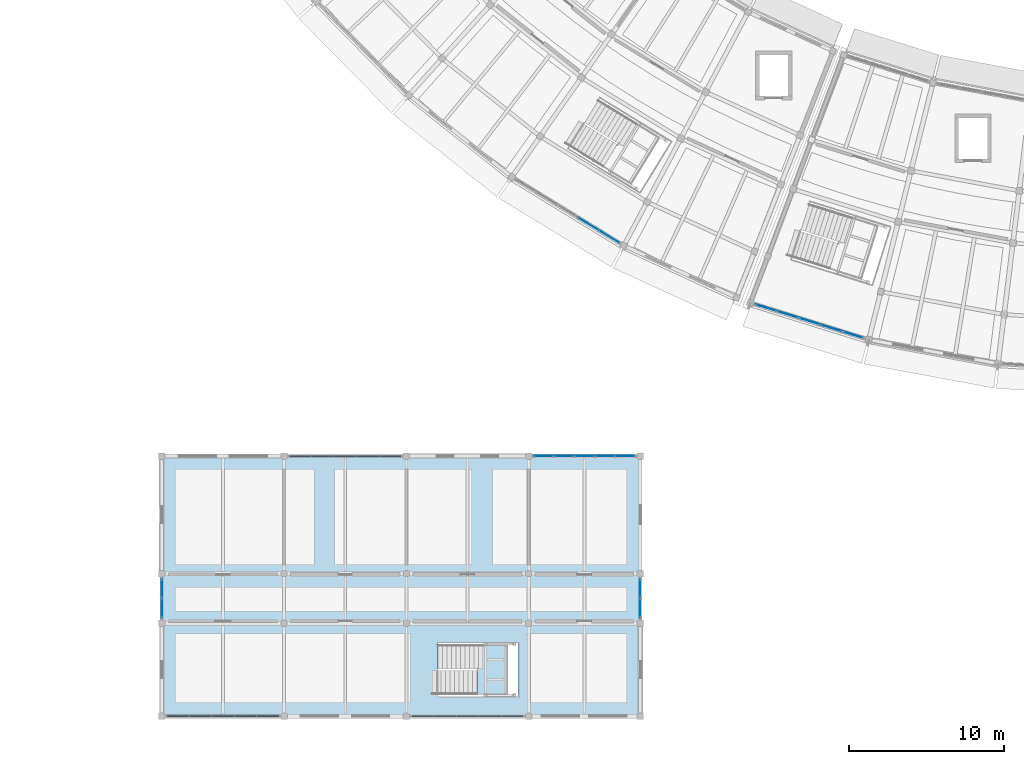
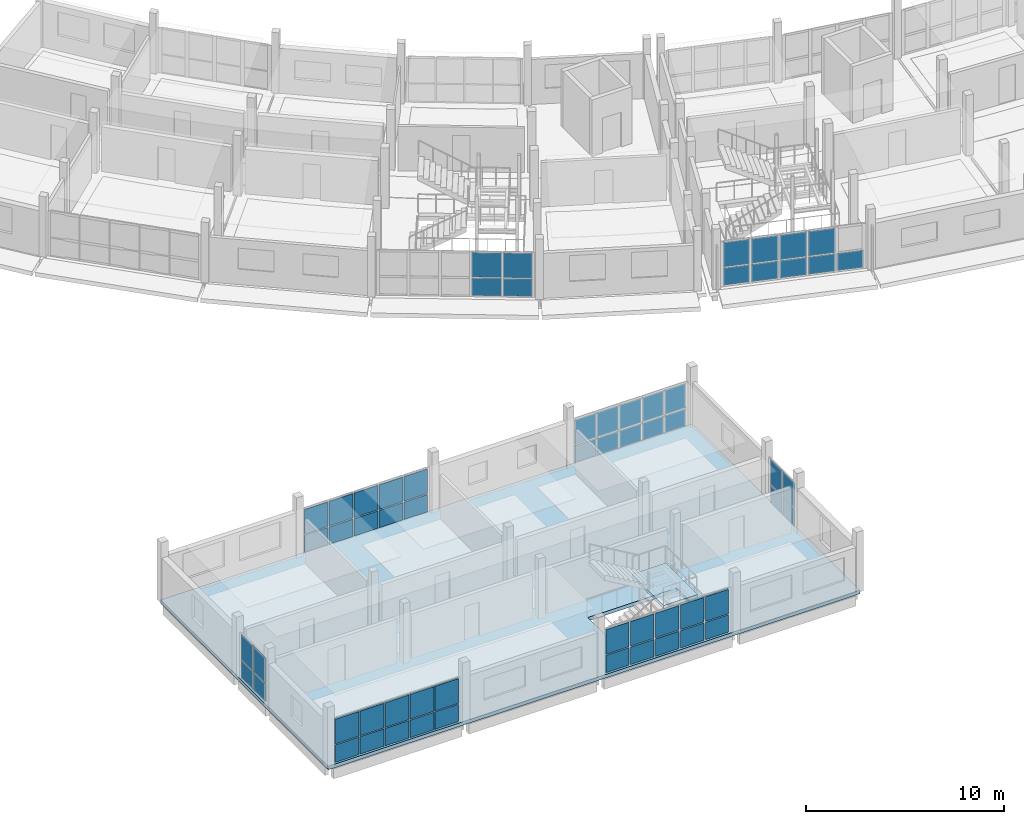
# One storey, part 45 of 77: 61 plates, 2 slabs, 9 elements without a shape of their own.
"""IFC4 building model written with IfcOpenShell, lengths in metres."""

from ifc_helpers import new_model, si_unit, direction, frame, origin, origin_2d, place, context, subcontext, project, spatial, polyline, rectangle, outline, extrude, material, layer, layer_set, type_object, element, aggregate, save


model = new_model("IFC4")

# Units and contexts
model_context = context("Model", 3, precision=1e-05, world=origin(), true_north=direction((0.0, 1.0)))
body_context = subcontext(model_context, "Body", "Model", "MODEL_VIEW")
ifc_project = project(units=[si_unit("LENGTHUNIT", "METRE"), si_unit("AREAUNIT", "SQUARE_METRE"), si_unit("VOLUMEUNIT", "CUBIC_METRE"), si_unit("PLANEANGLEUNIT", "RADIAN"), si_unit("MASSUNIT", "GRAM", prefix="KILO")], contexts=[model_context])

# Site, building, storey
site_placement = place(None, origin())
site = spatial("IfcSite", under=ifc_project, at=site_placement, CompositionType="ELEMENT")
building_placement = place(site_placement, origin())
building = spatial("IfcBuilding", under=site, at=building_placement, Name="Caldaven Crescent School", CompositionType="ELEMENT")
storey_placement = place(building_placement, frame((0.0, 0.0, 4.419921875)))
storey = spatial("IfcBuildingStorey", under=building, at=storey_placement, Name="L01", CompositionType="ELEMENT", Elevation=4.419921875)

# Curtain wall, plates
ifc_material_1 = material(Name="Anodised aluminium AA 6063-T6 and low-E double glazing", Category="aluminium")
ifc_layer_1 = layer(ifc_material_1, 0.169921875)
ifc_layer_set_1 = layer_set([ifc_layer_1], Name="Anodised aluminium AA 6063-T6 and low-E double glazing")
curtain_wall_type_1 = type_object("IfcCurtainWallType", Name="CW-SYS1", PredefinedType="NOTDEFINED", material=ifc_layer_set_1)
curtain_wall_1_placement = place(storey_placement, origin())
curtain_wall_1 = element("IfcCurtainWall", 1, at=curtain_wall_1_placement, inside=storey, type_object=curtain_wall_type_1, Name="CW-L01-096", PredefinedType="NOTDEFINED")
ifc_material_2 = material(Name="Tempered low-E double glazing IGU", Category="glass")
ifc_layer_2 = layer(ifc_material_2, 0.02587890625)
ifc_layer_set_2 = layer_set([ifc_layer_2], Name="Tempered low-E double glazing IGU")
plate_type_1 = type_object("IfcPlateType", Name="PLT-CWP01", PredefinedType="CURTAIN_PANEL", material=ifc_layer_set_2)
plate_1_placement = place(storey_placement, frame((50.17626953125, 21.0, 0.070068359375), z_axis=(0.0, 0.0, 1.0), x_axis=(1.0, 0.0, 0.0)))
plate_1 = element("IfcPlate", 2, at=plate_1_placement, type_object=plate_type_1, Name="CW1 panel 1.1", PredefinedType="CURTAIN_PANEL", context=body_context, shape_type="SweptSolid", body=[
    extrude(rectangle(XDim=1.222412109375, YDim=0.02587890625, at=origin_2d()), origin(), (0.0, 0.0, 1.0), 1.06298828125),
])
plate_2_placement = place(storey_placement, frame((50.17626953125, 21.0, 1.203125), z_axis=(0.0, 0.0, 1.0), x_axis=(1.0, 0.0, 0.0)))
plate_2 = element("IfcPlate", 3, at=plate_2_placement, type_object=plate_type_1, Name="CW1 panel 1.2", PredefinedType="CURTAIN_PANEL", context=body_context, shape_type="SweptSolid", body=[
    extrude(rectangle(XDim=1.222412109375, YDim=0.02587890625, at=origin_2d()), origin(), (0.0, 0.0, 1.0), 1.507080078125),
])
plate_3_placement = place(storey_placement, frame((51.47998046875, 21.0, 0.070068359375), z_axis=(0.0, 0.0, 1.0), x_axis=(1.0, 0.0, 0.0)))
plate_3 = element("IfcPlate", 4, at=plate_3_placement, type_object=plate_type_1, Name="CW1 panel 2.1", PredefinedType="CURTAIN_PANEL", context=body_context, shape_type="SweptSolid", body=[
    extrude(rectangle(XDim=1.2548828125, YDim=0.02587890625, at=origin_2d()), origin(), (0.0, 0.0, 1.0), 1.06298828125),
])
plate_4_placement = place(storey_placement, frame((51.47998046875, 21.0, 1.203125), z_axis=(0.0, 0.0, 1.0), x_axis=(1.0, 0.0, 0.0)))
plate_4 = element("IfcPlate", 5, at=plate_4_placement, type_object=plate_type_1, Name="CW1 panel 2.2", PredefinedType="CURTAIN_PANEL", context=body_context, shape_type="SweptSolid", body=[
    extrude(rectangle(XDim=1.2548828125, YDim=0.02587890625, at=origin_2d()), origin(), (0.0, 0.0, 1.0), 1.507080078125),
])
plate_5_placement = place(storey_placement, frame((52.800048828125, 21.0, 0.070068359375), z_axis=(0.0, 0.0, 1.0), x_axis=(1.0, 0.0, 0.0)))
plate_5 = element("IfcPlate", 6, at=plate_5_placement, type_object=plate_type_1, Name="CW1 panel 3.1", PredefinedType="CURTAIN_PANEL", context=body_context, shape_type="SweptSolid", body=[
    extrude(rectangle(XDim=1.2548828125, YDim=0.02587890625, at=origin_2d()), origin(), (0.0, 0.0, 1.0), 1.06298828125),
])
plate_6_placement = place(storey_placement, frame((52.800048828125, 21.0, 1.203125), z_axis=(0.0, 0.0, 1.0), x_axis=(1.0, 0.0, 0.0)))
plate_6 = element("IfcPlate", 7, at=plate_6_placement, type_object=plate_type_1, Name="CW1 panel 3.2", PredefinedType="CURTAIN_PANEL", context=body_context, shape_type="SweptSolid", body=[
    extrude(rectangle(XDim=1.2548828125, YDim=0.02587890625, at=origin_2d()), origin(), (0.0, 0.0, 1.0), 1.507080078125),
])
plate_7_placement = place(storey_placement, frame((54.1201171875, 21.0, 0.070068359375), z_axis=(0.0, 0.0, 1.0), x_axis=(1.0, 0.0, 0.0)))
plate_7 = element("IfcPlate", 8, at=plate_7_placement, type_object=plate_type_1, Name="CW1 panel 4.1", PredefinedType="CURTAIN_PANEL", context=body_context, shape_type="SweptSolid", body=[
    extrude(rectangle(XDim=1.2548828125, YDim=0.02587890625, at=origin_2d()), origin(), (0.0, 0.0, 1.0), 1.06298828125),
])
plate_8_placement = place(storey_placement, frame((54.1201171875, 21.0, 1.203125), z_axis=(0.0, 0.0, 1.0), x_axis=(1.0, 0.0, 0.0)))
plate_8 = element("IfcPlate", 9, at=plate_8_placement, type_object=plate_type_1, Name="CW1 panel 4.2", PredefinedType="CURTAIN_PANEL", context=body_context, shape_type="SweptSolid", body=[
    extrude(rectangle(XDim=1.2548828125, YDim=0.02587890625, at=origin_2d()), origin(), (0.0, 0.0, 1.0), 1.507080078125),
])
plate_9_placement = place(storey_placement, frame((55.423828125, 21.0, 0.070068359375), z_axis=(0.0, 0.0, 1.0), x_axis=(1.0, 0.0, 0.0)))
plate_9 = element("IfcPlate", 10, at=plate_9_placement, type_object=plate_type_1, Name="CW1 panel 5.1", PredefinedType="CURTAIN_PANEL", context=body_context, shape_type="SweptSolid", body=[
    extrude(rectangle(XDim=1.222412109375, YDim=0.02587890625, at=origin_2d()), origin(), (0.0, 0.0, 1.0), 1.06298828125),
])
plate_10_placement = place(storey_placement, frame((55.423828125, 21.0, 1.203125), z_axis=(0.0, 0.0, 1.0), x_axis=(1.0, 0.0, 0.0)))
plate_10 = element("IfcPlate", 11, at=plate_10_placement, type_object=plate_type_1, Name="CW1 panel 5.2", PredefinedType="CURTAIN_PANEL", context=body_context, shape_type="SweptSolid", body=[
    extrude(rectangle(XDim=1.222412109375, YDim=0.02587890625, at=origin_2d()), origin(), (0.0, 0.0, 1.0), 1.507080078125),
])
aggregate(curtain_wall_1, [plate_1, plate_2, plate_3, plate_4, plate_5, plate_6, plate_7, plate_8, plate_9, plate_10])

ifc_layer_3 = layer(ifc_material_1, 0.2099609375)
ifc_layer_set_3 = layer_set([ifc_layer_3], Name="Anodised aluminium AA 6063-T6 and low-E double glazing")
curtain_wall_type_2 = type_object("IfcCurtainWallType", Name="CW-SYS3", PredefinedType="NOTDEFINED", material=ifc_layer_set_3)
curtain_wall_2_placement = place(storey_placement, origin())
curtain_wall_2 = element("IfcCurtainWall", 12, at=curtain_wall_2_placement, inside=storey, type_object=curtain_wall_type_2, Name="CW-L01-120", PredefinedType="NOTDEFINED")
plate_11_placement = place(storey_placement, frame((53.07373046875, 35.98486328125, 0.06005859375), z_axis=(0.0, 0.0, 1.0), x_axis=(0.852639676124, -0.522499361435, 0.0)))
plate_11 = element("IfcPlate", 13, at=plate_11_placement, type_object=plate_type_1, Name="CW3 panel 4.1", PredefinedType="CURTAIN_PANEL", context=body_context, shape_type="SweptSolid", body=[
    extrude(rectangle(XDim=1.518310546875, YDim=0.02587890625, at=origin_2d()), origin(), (0.0, 0.0, 1.0), 1.077880859375),
])
plate_12_placement = place(storey_placement, frame((53.07373046875, 35.98486328125, 1.197998046875), z_axis=(0.0, 0.0, 1.0), x_axis=(0.852639676124, -0.522499361435, 0.0)))
plate_12 = element("IfcPlate", 14, at=plate_12_placement, type_object=plate_type_1, Name="CW3 panel 4.2", PredefinedType="CURTAIN_PANEL", context=body_context, shape_type="SweptSolid", body=[
    extrude(rectangle(XDim=1.518310546875, YDim=0.02587890625, at=origin_2d()), origin(), (0.0, 0.0, 1.0), 1.52197265625),
])
plate_13_placement = place(storey_placement, frame((54.40673828125, 35.16796875, 0.06005859375), z_axis=(0.0, 0.0, 1.0), x_axis=(0.852639676124, -0.522499361435, 0.0)))
plate_13 = element("IfcPlate", 15, at=plate_13_placement, type_object=plate_type_1, Name="CW3 panel 5.1", PredefinedType="CURTAIN_PANEL", context=body_context, shape_type="SweptSolid", body=[
    extrude(rectangle(XDim=1.48828125, YDim=0.02587890625, at=origin_2d()), origin(), (0.0, 0.0, 1.0), 1.077880859375),
])
plate_14_placement = place(storey_placement, frame((54.40673828125, 35.16796875, 1.197998046875), z_axis=(0.0, 0.0, 1.0), x_axis=(0.852639676124, -0.522499361435, 0.0)))
plate_14 = element("IfcPlate", 16, at=plate_14_placement, type_object=plate_type_1, Name="CW3 panel 5.2", PredefinedType="CURTAIN_PANEL", context=body_context, shape_type="SweptSolid", body=[
    extrude(rectangle(XDim=1.48828125, YDim=0.02587890625, at=origin_2d()), origin(), (0.0, 0.0, 1.0), 1.52197265625),
])
aggregate(curtain_wall_2, [plate_11, plate_12, plate_13, plate_14])

curtain_wall_3_placement = place(storey_placement, origin())
curtain_wall_3 = element("IfcCurtainWall", 17, at=curtain_wall_3_placement, inside=storey, type_object=curtain_wall_type_2, Name="CW-L01-097", PredefinedType="NOTDEFINED")
ifc_layer_4 = layer(ifc_material_2, 0.028076171875)
ifc_layer_set_4 = layer_set([ifc_layer_4], Name="Tempered low-E double glazing IGU")
plate_type_2 = type_object("IfcPlateType", Name="PLT-CWP02", PredefinedType="CURTAIN_PANEL", material=ifc_layer_set_4)
plate_15_placement = place(storey_placement, frame((25.5, 11.16748046875, 0.06494140625), z_axis=(0.0, 0.0, 1.0), x_axis=(0.0, 1.0, 0.0)))
plate_15 = element("IfcPlate", 18, at=plate_15_placement, type_object=plate_type_2, Name="CW3 panel 1.1", PredefinedType="CURTAIN_PANEL", context=body_context, shape_type="SweptSolid", body=[
    extrude(rectangle(XDim=1.195068359375, YDim=0.028076171875, at=origin_2d()), origin(), (0.0, 0.0, 1.0), 1.070556640625),
])
plate_16_placement = place(storey_placement, frame((25.5, 11.16748046875, 1.20068359375), z_axis=(0.0, 0.0, 1.0), x_axis=(0.0, 1.0, 0.0)))
plate_16 = element("IfcPlate", 19, at=plate_16_placement, type_object=plate_type_2, Name="CW3 panel 1.2", PredefinedType="CURTAIN_PANEL", context=body_context, shape_type="SweptSolid", body=[
    extrude(rectangle(XDim=1.195068359375, YDim=0.028076171875, at=origin_2d()), origin(), (0.0, 0.0, 1.0), 1.514404296875),
])
plate_17_placement = place(storey_placement, frame((25.5, 12.4326171875, 0.06494140625), z_axis=(0.0, 0.0, 1.0), x_axis=(0.0, 1.0, 0.0)))
plate_17 = element("IfcPlate", 20, at=plate_17_placement, type_object=plate_type_2, Name="CW3 panel 2.1", PredefinedType="CURTAIN_PANEL", context=body_context, shape_type="SweptSolid", body=[
    extrude(rectangle(XDim=1.195068359375, YDim=0.028076171875, at=origin_2d()), origin(), (0.0, 0.0, 1.0), 1.070556640625),
])
plate_18_placement = place(storey_placement, frame((25.5, 12.4326171875, 1.20068359375), z_axis=(0.0, 0.0, 1.0), x_axis=(0.0, 1.0, 0.0)))
plate_18 = element("IfcPlate", 21, at=plate_18_placement, type_object=plate_type_2, Name="CW3 panel 2.2", PredefinedType="CURTAIN_PANEL", context=body_context, shape_type="SweptSolid", body=[
    extrude(rectangle(XDim=1.195068359375, YDim=0.028076171875, at=origin_2d()), origin(), (0.0, 0.0, 1.0), 1.514404296875),
])
aggregate(curtain_wall_3, [plate_15, plate_16, plate_17, plate_18])

curtain_wall_4_placement = place(storey_placement, origin())
curtain_wall_4 = element("IfcCurtainWall", 22, at=curtain_wall_4_placement, inside=storey, type_object=curtain_wall_type_2, Name="CW-L01-098", PredefinedType="NOTDEFINED")
ifc_layer_5 = layer(ifc_material_2, 0.030029296875)
ifc_layer_set_5 = layer_set([ifc_layer_5], Name="Tempered low-E double glazing IGU")
plate_type_3 = type_object("IfcPlateType", Name="PLT-CWP03", PredefinedType="CURTAIN_PANEL", material=ifc_layer_set_5)
plate_19_placement = place(storey_placement, frame((56.39990234375, 11.16748046875, 0.06494140625), z_axis=(0.0, 0.0, 1.0), x_axis=(0.0, 1.0, 0.0)))
plate_19 = element("IfcPlate", 23, at=plate_19_placement, type_object=plate_type_3, Name="CW3 panel 1.1", PredefinedType="CURTAIN_PANEL", context=body_context, shape_type="SweptSolid", body=[
    extrude(rectangle(XDim=1.195068359375, YDim=0.030029296875, at=origin_2d()), origin(), (0.0, 0.0, 1.0), 1.070556640625),
])
plate_20_placement = place(storey_placement, frame((56.39990234375, 11.16748046875, 1.20068359375), z_axis=(0.0, 0.0, 1.0), x_axis=(0.0, 1.0, 0.0)))
plate_20 = element("IfcPlate", 24, at=plate_20_placement, type_object=plate_type_3, Name="CW3 panel 1.2", PredefinedType="CURTAIN_PANEL", context=body_context, shape_type="SweptSolid", body=[
    extrude(rectangle(XDim=1.195068359375, YDim=0.030029296875, at=origin_2d()), origin(), (0.0, 0.0, 1.0), 1.514404296875),
])
plate_21_placement = place(storey_placement, frame((56.39990234375, 12.4326171875, 0.06494140625), z_axis=(0.0, 0.0, 1.0), x_axis=(0.0, 1.0, 0.0)))
plate_21 = element("IfcPlate", 25, at=plate_21_placement, type_object=plate_type_3, Name="CW3 panel 2.1", PredefinedType="CURTAIN_PANEL", context=body_context, shape_type="SweptSolid", body=[
    extrude(rectangle(XDim=1.195068359375, YDim=0.030029296875, at=origin_2d()), origin(), (0.0, 0.0, 1.0), 1.070556640625),
])
plate_22_placement = place(storey_placement, frame((56.39990234375, 12.4326171875, 1.20068359375), z_axis=(0.0, 0.0, 1.0), x_axis=(0.0, 1.0, 0.0)))
plate_22 = element("IfcPlate", 26, at=plate_22_placement, type_object=plate_type_3, Name="CW3 panel 2.2", PredefinedType="CURTAIN_PANEL", context=body_context, shape_type="SweptSolid", body=[
    extrude(rectangle(XDim=1.195068359375, YDim=0.030029296875, at=origin_2d()), origin(), (0.0, 0.0, 1.0), 1.514404296875),
])
aggregate(curtain_wall_4, [plate_19, plate_20, plate_21, plate_22])

curtain_wall_5_placement = place(storey_placement, origin())
curtain_wall_5 = element("IfcCurtainWall", 27, at=curtain_wall_5_placement, inside=storey, type_object=curtain_wall_type_1, Name="CW-L01-122", PredefinedType="NOTDEFINED")
plate_23_placement = place(storey_placement, frame((64.5341796875, 30.58447265625, 0.06494140625), z_axis=(0.0, 0.0, 1.0), x_axis=(0.954746673802, -0.297420222689, 0.0)))
plate_23 = element("IfcPlate", 28, at=plate_23_placement, type_object=plate_type_3, Name="CW1 panel 1.1", PredefinedType="CURTAIN_PANEL", context=body_context, shape_type="SweptSolid", body=[
    extrude(rectangle(XDim=1.377685546875, YDim=0.030029296875, at=origin_2d()), origin(), (0.0, 0.0, 1.0), 1.070556640625),
])
plate_24_placement = place(storey_placement, frame((64.5341796875, 30.58447265625, 1.20068359375), z_axis=(0.0, 0.0, 1.0), x_axis=(0.954746673802, -0.297420222689, 0.0)))
plate_24 = element("IfcPlate", 29, at=plate_24_placement, type_object=plate_type_3, Name="CW1 panel 1.2", PredefinedType="CURTAIN_PANEL", context=body_context, shape_type="SweptSolid", body=[
    extrude(rectangle(XDim=1.377685546875, YDim=0.030029296875, at=origin_2d()), origin(), (0.0, 0.0, 1.0), 1.514404296875),
])
plate_25_placement = place(storey_placement, frame((65.93310546875, 30.148681640625, 0.06494140625), z_axis=(0.0, 0.0, 1.0), x_axis=(0.954746673802, -0.297420222689, 0.0)))
plate_25 = element("IfcPlate", 30, at=plate_25_placement, type_object=plate_type_3, Name="CW1 panel 2.1", PredefinedType="CURTAIN_PANEL", context=body_context, shape_type="SweptSolid", body=[
    extrude(rectangle(XDim=1.412841796875, YDim=0.030029296875, at=origin_2d()), origin(), (0.0, 0.0, 1.0), 1.070556640625),
])
plate_26_placement = place(storey_placement, frame((65.93310546875, 30.148681640625, 1.20068359375), z_axis=(0.0, 0.0, 1.0), x_axis=(0.954746673802, -0.297420222689, 0.0)))
plate_26 = element("IfcPlate", 31, at=plate_26_placement, type_object=plate_type_3, Name="CW1 panel 2.2", PredefinedType="CURTAIN_PANEL", context=body_context, shape_type="SweptSolid", body=[
    extrude(rectangle(XDim=1.412841796875, YDim=0.030029296875, at=origin_2d()), origin(), (0.0, 0.0, 1.0), 1.514404296875),
])
plate_27_placement = place(storey_placement, frame((67.3486328125, 29.707763671875, 0.06494140625), z_axis=(0.0, 0.0, 1.0), x_axis=(0.954746673802, -0.297420222689, 0.0)))
plate_27 = element("IfcPlate", 32, at=plate_27_placement, type_object=plate_type_3, Name="CW1 panel 3.1", PredefinedType="CURTAIN_PANEL", context=body_context, shape_type="SweptSolid", body=[
    extrude(rectangle(XDim=1.412841796875, YDim=0.030029296875, at=origin_2d()), origin(), (0.0, 0.0, 1.0), 1.070556640625),
])
plate_28_placement = place(storey_placement, frame((67.3486328125, 29.707763671875, 1.20068359375), z_axis=(0.0, 0.0, 1.0), x_axis=(0.954746673802, -0.297420222689, 0.0)))
plate_28 = element("IfcPlate", 33, at=plate_28_placement, type_object=plate_type_3, Name="CW1 panel 3.2", PredefinedType="CURTAIN_PANEL", context=body_context, shape_type="SweptSolid", body=[
    extrude(rectangle(XDim=1.412841796875, YDim=0.030029296875, at=origin_2d()), origin(), (0.0, 0.0, 1.0), 1.514404296875),
])
plate_29_placement = place(storey_placement, frame((68.764404296875, 29.2666015625, 0.06494140625), z_axis=(0.0, 0.0, 1.0), x_axis=(0.954746673802, -0.297420222689, 0.0)))
plate_29 = element("IfcPlate", 34, at=plate_29_placement, type_object=plate_type_3, Name="CW1 panel 4.1", PredefinedType="CURTAIN_PANEL", context=body_context, shape_type="SweptSolid", body=[
    extrude(rectangle(XDim=1.412841796875, YDim=0.030029296875, at=origin_2d()), origin(), (0.0, 0.0, 1.0), 1.070556640625),
])
plate_30_placement = place(storey_placement, frame((68.764404296875, 29.2666015625, 1.20068359375), z_axis=(0.0, 0.0, 1.0), x_axis=(0.954746673802, -0.297420222689, 0.0)))
plate_30 = element("IfcPlate", 35, at=plate_30_placement, type_object=plate_type_3, Name="CW1 panel 4.2", PredefinedType="CURTAIN_PANEL", context=body_context, shape_type="SweptSolid", body=[
    extrude(rectangle(XDim=1.412841796875, YDim=0.030029296875, at=origin_2d()), origin(), (0.0, 0.0, 1.0), 1.514404296875),
])
plate_31_placement = place(storey_placement, frame((70.163330078125, 28.830810546875, 0.06494140625), z_axis=(0.0, 0.0, 1.0), x_axis=(0.954746673802, -0.297420222689, 0.0)))
plate_31 = element("IfcPlate", 36, at=plate_31_placement, type_object=plate_type_3, Name="CW1 panel 5.1", PredefinedType="CURTAIN_PANEL", context=body_context, shape_type="SweptSolid", body=[
    extrude(rectangle(XDim=1.377685546875, YDim=0.030029296875, at=origin_2d()), origin(), (0.0, 0.0, 1.0), 1.070556640625),
])
aggregate(curtain_wall_5, [plate_23, plate_24, plate_25, plate_26, plate_27, plate_28, plate_29, plate_30, plate_31])

curtain_wall_6_placement = place(storey_placement, origin())
curtain_wall_6 = element("IfcCurtainWall", 37, at=curtain_wall_6_placement, inside=storey, type_object=curtain_wall_type_1, Name="CW-L01-093", PredefinedType="NOTDEFINED")
ifc_material_3 = material(Name="Insulated bronze aluminium spandrel panel", Category="aluminium")
ifc_layer_6 = layer(ifc_material_3, 0.068115234375)
ifc_layer_set_6 = layer_set([ifc_layer_6], Name="Insulated bronze aluminium spandrel panel")
plate_type_4 = type_object("IfcPlateType", Name="PLT-CWP22", PredefinedType="CURTAIN_PANEL", material=ifc_layer_set_6)
plate_32_placement = place(storey_placement, frame((26.544921875, 4.199951171875, 0.06005859375), z_axis=(0.0, 0.0, 1.0), x_axis=(1.0, 0.0, 0.0)))
plate_32 = element("IfcPlate", 38, at=plate_32_placement, type_object=plate_type_4, Name="CW1 panel 1.1", PredefinedType="CURTAIN_PANEL", context=body_context, shape_type="SweptSolid", body=[
    extrude(rectangle(XDim=1.3701171875, YDim=0.068115234375, at=origin_2d()), origin(), (0.0, 0.0, 1.0), 1.077880859375),
])
plate_33_placement = place(storey_placement, frame((26.544921875, 4.199951171875, 1.197998046875), z_axis=(0.0, 0.0, 1.0), x_axis=(1.0, 0.0, 0.0)))
plate_33 = element("IfcPlate", 39, at=plate_33_placement, type_object=plate_type_4, Name="CW1 panel 1.2", PredefinedType="CURTAIN_PANEL", context=body_context, shape_type="SweptSolid", body=[
    extrude(rectangle(XDim=1.3701171875, YDim=0.068115234375, at=origin_2d()), origin(), (0.0, 0.0, 1.0), 1.52197265625),
])
plate_34_placement = place(storey_placement, frame((27.989990234375, 4.199951171875, 0.06005859375), z_axis=(0.0, 0.0, 1.0), x_axis=(1.0, 0.0, 0.0)))
plate_34 = element("IfcPlate", 40, at=plate_34_placement, type_object=plate_type_4, Name="CW1 panel 2.1", PredefinedType="CURTAIN_PANEL", context=body_context, shape_type="SweptSolid", body=[
    extrude(rectangle(XDim=1.39990234375, YDim=0.068115234375, at=origin_2d()), origin(), (0.0, 0.0, 1.0), 1.077880859375),
])
plate_35_placement = place(storey_placement, frame((27.989990234375, 4.199951171875, 1.197998046875), z_axis=(0.0, 0.0, 1.0), x_axis=(1.0, 0.0, 0.0)))
plate_35 = element("IfcPlate", 41, at=plate_35_placement, type_object=plate_type_4, Name="CW1 panel 2.2", PredefinedType="CURTAIN_PANEL", context=body_context, shape_type="SweptSolid", body=[
    extrude(rectangle(XDim=1.39990234375, YDim=0.068115234375, at=origin_2d()), origin(), (0.0, 0.0, 1.0), 1.52197265625),
])
plate_36_placement = place(storey_placement, frame((29.449951171875, 4.199951171875, 0.06005859375), z_axis=(0.0, 0.0, 1.0), x_axis=(1.0, 0.0, 0.0)))
plate_36 = element("IfcPlate", 42, at=plate_36_placement, type_object=plate_type_4, Name="CW1 panel 3.1", PredefinedType="CURTAIN_PANEL", context=body_context, shape_type="SweptSolid", body=[
    extrude(rectangle(XDim=1.39990234375, YDim=0.068115234375, at=origin_2d()), origin(), (0.0, 0.0, 1.0), 1.077880859375),
])
plate_37_placement = place(storey_placement, frame((29.449951171875, 4.199951171875, 1.197998046875), z_axis=(0.0, 0.0, 1.0), x_axis=(1.0, 0.0, 0.0)))
plate_37 = element("IfcPlate", 43, at=plate_37_placement, type_object=plate_type_4, Name="CW1 panel 3.2", PredefinedType="CURTAIN_PANEL", context=body_context, shape_type="SweptSolid", body=[
    extrude(rectangle(XDim=1.39990234375, YDim=0.068115234375, at=origin_2d()), origin(), (0.0, 0.0, 1.0), 1.52197265625),
])
plate_38_placement = place(storey_placement, frame((30.909912109375, 4.199951171875, 0.06005859375), z_axis=(0.0, 0.0, 1.0), x_axis=(1.0, 0.0, 0.0)))
plate_38 = element("IfcPlate", 44, at=plate_38_placement, type_object=plate_type_4, Name="CW1 panel 4.1", PredefinedType="CURTAIN_PANEL", context=body_context, shape_type="SweptSolid", body=[
    extrude(rectangle(XDim=1.39990234375, YDim=0.068115234375, at=origin_2d()), origin(), (0.0, 0.0, 1.0), 1.077880859375),
])
plate_39_placement = place(storey_placement, frame((30.909912109375, 4.199951171875, 1.197998046875), z_axis=(0.0, 0.0, 1.0), x_axis=(1.0, 0.0, 0.0)))
plate_39 = element("IfcPlate", 45, at=plate_39_placement, type_object=plate_type_4, Name="CW1 panel 4.2", PredefinedType="CURTAIN_PANEL", context=body_context, shape_type="SweptSolid", body=[
    extrude(rectangle(XDim=1.39990234375, YDim=0.068115234375, at=origin_2d()), origin(), (0.0, 0.0, 1.0), 1.52197265625),
])
plate_40_placement = place(storey_placement, frame((32.35498046875, 4.199951171875, 0.06005859375), z_axis=(0.0, 0.0, 1.0), x_axis=(1.0, 0.0, 0.0)))
plate_40 = element("IfcPlate", 46, at=plate_40_placement, type_object=plate_type_4, Name="CW1 panel 5.1", PredefinedType="CURTAIN_PANEL", context=body_context, shape_type="SweptSolid", body=[
    extrude(rectangle(XDim=1.3701171875, YDim=0.068115234375, at=origin_2d()), origin(), (0.0, 0.0, 1.0), 1.077880859375),
])
plate_41_placement = place(storey_placement, frame((32.35498046875, 4.199951171875, 1.197998046875), z_axis=(0.0, 0.0, 1.0), x_axis=(1.0, 0.0, 0.0)))
plate_41 = element("IfcPlate", 47, at=plate_41_placement, type_object=plate_type_4, Name="CW1 panel 5.2", PredefinedType="CURTAIN_PANEL", context=body_context, shape_type="SweptSolid", body=[
    extrude(rectangle(XDim=1.3701171875, YDim=0.068115234375, at=origin_2d()), origin(), (0.0, 0.0, 1.0), 1.52197265625),
])
aggregate(curtain_wall_6, [plate_32, plate_33, plate_34, plate_35, plate_36, plate_37, plate_38, plate_39, plate_40, plate_41])

curtain_wall_7_placement = place(storey_placement, origin())
curtain_wall_7 = element("IfcCurtainWall", 48, at=curtain_wall_7_placement, inside=storey, type_object=curtain_wall_type_2, Name="CW-L01-094", PredefinedType="NOTDEFINED")
ifc_layer_7 = layer(ifc_material_3, 0.070068359375)
ifc_layer_set_7 = layer_set([ifc_layer_7], Name="Insulated bronze aluminium spandrel panel")
plate_type_5 = type_object("IfcPlateType", Name="PLT-CWP23", PredefinedType="CURTAIN_PANEL", material=ifc_layer_set_7)
plate_42_placement = place(storey_placement, frame((42.347412109375, 4.199951171875, 0.06494140625), z_axis=(0.0, 0.0, 1.0), x_axis=(1.0, 0.0, 0.0)))
plate_42 = element("IfcPlate", 49, at=plate_42_placement, type_object=plate_type_5, Name="CW3 panel 1.1", PredefinedType="CURTAIN_PANEL", context=body_context, shape_type="SweptSolid", body=[
    extrude(rectangle(XDim=1.35498046875, YDim=0.070068359375, at=origin_2d()), origin(), (0.0, 0.0, 1.0), 1.070556640625),
])
plate_43_placement = place(storey_placement, frame((42.347412109375, 4.199951171875, 1.20068359375), z_axis=(0.0, 0.0, 1.0), x_axis=(1.0, 0.0, 0.0)))
plate_43 = element("IfcPlate", 50, at=plate_43_placement, type_object=plate_type_5, Name="CW3 panel 1.2", PredefinedType="CURTAIN_PANEL", context=body_context, shape_type="SweptSolid", body=[
    extrude(rectangle(XDim=1.35498046875, YDim=0.070068359375, at=origin_2d()), origin(), (0.0, 0.0, 1.0), 1.514404296875),
])
plate_44_placement = place(storey_placement, frame((43.7900390625, 4.199951171875, 0.06494140625), z_axis=(0.0, 0.0, 1.0), x_axis=(1.0, 0.0, 0.0)))
plate_44 = element("IfcPlate", 51, at=plate_44_placement, type_object=plate_type_5, Name="CW3 panel 2.1", PredefinedType="CURTAIN_PANEL", context=body_context, shape_type="SweptSolid", body=[
    extrude(rectangle(XDim=1.389892578125, YDim=0.070068359375, at=origin_2d()), origin(), (0.0, 0.0, 1.0), 1.070556640625),
])
plate_45_placement = place(storey_placement, frame((43.7900390625, 4.199951171875, 1.20068359375), z_axis=(0.0, 0.0, 1.0), x_axis=(1.0, 0.0, 0.0)))
plate_45 = element("IfcPlate", 52, at=plate_45_placement, type_object=plate_type_5, Name="CW3 panel 2.2", PredefinedType="CURTAIN_PANEL", context=body_context, shape_type="SweptSolid", body=[
    extrude(rectangle(XDim=1.389892578125, YDim=0.070068359375, at=origin_2d()), origin(), (0.0, 0.0, 1.0), 1.514404296875),
])
plate_46_placement = place(storey_placement, frame((45.25, 4.199951171875, 0.06494140625), z_axis=(0.0, 0.0, 1.0), x_axis=(1.0, 0.0, 0.0)))
plate_46 = element("IfcPlate", 53, at=plate_46_placement, type_object=plate_type_5, Name="CW3 panel 3.1", PredefinedType="CURTAIN_PANEL", context=body_context, shape_type="SweptSolid", body=[
    extrude(rectangle(XDim=1.389892578125, YDim=0.070068359375, at=origin_2d()), origin(), (0.0, 0.0, 1.0), 1.070556640625),
])
plate_47_placement = place(storey_placement, frame((45.25, 4.199951171875, 1.20068359375), z_axis=(0.0, 0.0, 1.0), x_axis=(1.0, 0.0, 0.0)))
plate_47 = element("IfcPlate", 54, at=plate_47_placement, type_object=plate_type_5, Name="CW3 panel 3.2", PredefinedType="CURTAIN_PANEL", context=body_context, shape_type="SweptSolid", body=[
    extrude(rectangle(XDim=1.389892578125, YDim=0.070068359375, at=origin_2d()), origin(), (0.0, 0.0, 1.0), 1.514404296875),
])
plate_48_placement = place(storey_placement, frame((46.7099609375, 4.199951171875, 0.06494140625), z_axis=(0.0, 0.0, 1.0), x_axis=(1.0, 0.0, 0.0)))
plate_48 = element("IfcPlate", 55, at=plate_48_placement, type_object=plate_type_5, Name="CW3 panel 4.1", PredefinedType="CURTAIN_PANEL", context=body_context, shape_type="SweptSolid", body=[
    extrude(rectangle(XDim=1.389892578125, YDim=0.070068359375, at=origin_2d()), origin(), (0.0, 0.0, 1.0), 1.070556640625),
])
plate_49_placement = place(storey_placement, frame((46.7099609375, 4.199951171875, 1.20068359375), z_axis=(0.0, 0.0, 1.0), x_axis=(1.0, 0.0, 0.0)))
plate_49 = element("IfcPlate", 56, at=plate_49_placement, type_object=plate_type_5, Name="CW3 panel 4.2", PredefinedType="CURTAIN_PANEL", context=body_context, shape_type="SweptSolid", body=[
    extrude(rectangle(XDim=1.389892578125, YDim=0.070068359375, at=origin_2d()), origin(), (0.0, 0.0, 1.0), 1.514404296875),
])
plate_50_placement = place(storey_placement, frame((48.152587890625, 4.199951171875, 0.06494140625), z_axis=(0.0, 0.0, 1.0), x_axis=(1.0, 0.0, 0.0)))
plate_50 = element("IfcPlate", 57, at=plate_50_placement, type_object=plate_type_5, Name="CW3 panel 5.1", PredefinedType="CURTAIN_PANEL", context=body_context, shape_type="SweptSolid", body=[
    extrude(rectangle(XDim=1.35498046875, YDim=0.070068359375, at=origin_2d()), origin(), (0.0, 0.0, 1.0), 1.070556640625),
])
plate_51_placement = place(storey_placement, frame((48.152587890625, 4.199951171875, 1.20068359375), z_axis=(0.0, 0.0, 1.0), x_axis=(1.0, 0.0, 0.0)))
plate_51 = element("IfcPlate", 58, at=plate_51_placement, type_object=plate_type_5, Name="CW3 panel 5.2", PredefinedType="CURTAIN_PANEL", context=body_context, shape_type="SweptSolid", body=[
    extrude(rectangle(XDim=1.35498046875, YDim=0.070068359375, at=origin_2d()), origin(), (0.0, 0.0, 1.0), 1.514404296875),
])
aggregate(curtain_wall_7, [plate_42, plate_43, plate_44, plate_45, plate_46, plate_47, plate_48, plate_49, plate_50, plate_51])

curtain_wall_8_placement = place(storey_placement, origin())
curtain_wall_8 = element("IfcCurtainWall", 59, at=curtain_wall_8_placement, inside=storey, type_object=curtain_wall_type_2, Name="CW-L01-095", PredefinedType="NOTDEFINED")
ifc_layer_8 = layer(ifc_material_3, 0.072021484375)
ifc_layer_set_8 = layer_set([ifc_layer_8], Name="Insulated bronze aluminium spandrel panel")
plate_type_6 = type_object("IfcPlateType", Name="PLT-CWP24", PredefinedType="CURTAIN_PANEL", material=ifc_layer_set_8)
plate_52_placement = place(storey_placement, frame((34.447509765625, 21.0, 0.06494140625), z_axis=(0.0, 0.0, 1.0), x_axis=(1.0, 0.0, 0.0)))
plate_52 = element("IfcPlate", 60, at=plate_52_placement, type_object=plate_type_6, Name="CW3 panel 1.1", PredefinedType="CURTAIN_PANEL", context=body_context, shape_type="SweptSolid", body=[
    extrude(rectangle(XDim=1.35498046875, YDim=0.072021484375, at=origin_2d()), origin(), (0.0, 0.0, 1.0), 1.070556640625),
])
plate_53_placement = place(storey_placement, frame((34.447509765625, 21.0, 1.20068359375), z_axis=(0.0, 0.0, 1.0), x_axis=(1.0, 0.0, 0.0)))
plate_53 = element("IfcPlate", 61, at=plate_53_placement, type_object=plate_type_6, Name="CW3 panel 1.2", PredefinedType="CURTAIN_PANEL", context=body_context, shape_type="SweptSolid", body=[
    extrude(rectangle(XDim=1.35498046875, YDim=0.072021484375, at=origin_2d()), origin(), (0.0, 0.0, 1.0), 1.514404296875),
])
plate_54_placement = place(storey_placement, frame((35.889892578125, 21.0, 0.06494140625), z_axis=(0.0, 0.0, 1.0), x_axis=(1.0, 0.0, 0.0)))
plate_54 = element("IfcPlate", 62, at=plate_54_placement, type_object=plate_type_6, Name="CW3 panel 2.1", PredefinedType="CURTAIN_PANEL", context=body_context, shape_type="SweptSolid", body=[
    extrude(rectangle(XDim=1.389892578125, YDim=0.072021484375, at=origin_2d()), origin(), (0.0, 0.0, 1.0), 1.070556640625),
])
plate_55_placement = place(storey_placement, frame((35.889892578125, 21.0, 1.20068359375), z_axis=(0.0, 0.0, 1.0), x_axis=(1.0, 0.0, 0.0)))
plate_55 = element("IfcPlate", 63, at=plate_55_placement, type_object=plate_type_6, Name="CW3 panel 2.2", PredefinedType="CURTAIN_PANEL", context=body_context, shape_type="SweptSolid", body=[
    extrude(rectangle(XDim=1.389892578125, YDim=0.072021484375, at=origin_2d()), origin(), (0.0, 0.0, 1.0), 1.514404296875),
])
plate_56_placement = place(storey_placement, frame((37.35009765625, 21.0, 0.06494140625), z_axis=(0.0, 0.0, 1.0), x_axis=(1.0, 0.0, 0.0)))
plate_56 = element("IfcPlate", 64, at=plate_56_placement, type_object=plate_type_6, Name="CW3 panel 3.1", PredefinedType="CURTAIN_PANEL", context=body_context, shape_type="SweptSolid", body=[
    extrude(rectangle(XDim=1.389892578125, YDim=0.072021484375, at=origin_2d()), origin(), (0.0, 0.0, 1.0), 1.070556640625),
])
plate_57_placement = place(storey_placement, frame((37.35009765625, 21.0, 1.20068359375), z_axis=(0.0, 0.0, 1.0), x_axis=(1.0, 0.0, 0.0)))
plate_57 = element("IfcPlate", 65, at=plate_57_placement, type_object=plate_type_6, Name="CW3 panel 3.2", PredefinedType="CURTAIN_PANEL", context=body_context, shape_type="SweptSolid", body=[
    extrude(rectangle(XDim=1.389892578125, YDim=0.072021484375, at=origin_2d()), origin(), (0.0, 0.0, 1.0), 1.514404296875),
])
plate_58_placement = place(storey_placement, frame((38.81005859375, 21.0, 0.06494140625), z_axis=(0.0, 0.0, 1.0), x_axis=(1.0, 0.0, 0.0)))
plate_58 = element("IfcPlate", 66, at=plate_58_placement, type_object=plate_type_6, Name="CW3 panel 4.1", PredefinedType="CURTAIN_PANEL", context=body_context, shape_type="SweptSolid", body=[
    extrude(rectangle(XDim=1.389892578125, YDim=0.072021484375, at=origin_2d()), origin(), (0.0, 0.0, 1.0), 1.070556640625),
])
plate_59_placement = place(storey_placement, frame((38.81005859375, 21.0, 1.20068359375), z_axis=(0.0, 0.0, 1.0), x_axis=(1.0, 0.0, 0.0)))
plate_59 = element("IfcPlate", 67, at=plate_59_placement, type_object=plate_type_6, Name="CW3 panel 4.2", PredefinedType="CURTAIN_PANEL", context=body_context, shape_type="SweptSolid", body=[
    extrude(rectangle(XDim=1.389892578125, YDim=0.072021484375, at=origin_2d()), origin(), (0.0, 0.0, 1.0), 1.514404296875),
])
plate_60_placement = place(storey_placement, frame((40.25244140625, 21.0, 0.06494140625), z_axis=(0.0, 0.0, 1.0), x_axis=(1.0, 0.0, 0.0)))
plate_60 = element("IfcPlate", 68, at=plate_60_placement, type_object=plate_type_6, Name="CW3 panel 5.1", PredefinedType="CURTAIN_PANEL", context=body_context, shape_type="SweptSolid", body=[
    extrude(rectangle(XDim=1.35498046875, YDim=0.072021484375, at=origin_2d()), origin(), (0.0, 0.0, 1.0), 1.070556640625),
])
plate_61_placement = place(storey_placement, frame((40.25244140625, 21.0, 1.20068359375), z_axis=(0.0, 0.0, 1.0), x_axis=(1.0, 0.0, 0.0)))
plate_61 = element("IfcPlate", 69, at=plate_61_placement, type_object=plate_type_6, Name="CW3 panel 5.2", PredefinedType="CURTAIN_PANEL", context=body_context, shape_type="SweptSolid", body=[
    extrude(rectangle(XDim=1.35498046875, YDim=0.072021484375, at=origin_2d()), origin(), (0.0, 0.0, 1.0), 1.514404296875),
])
aggregate(curtain_wall_8, [plate_52, plate_53, plate_54, plate_55, plate_56, plate_57, plate_58, plate_59, plate_60, plate_61])

# Slab
ifc_material_4 = material(Name="Cross-laminated timber CLT C24", Category="wood")
ifc_layer_9 = layer(ifc_material_4, 0.219970703125)
ifc_layer_set_9 = layer_set([ifc_layer_9], Name="Cross-laminated timber CLT C24")
slab_type_1 = type_object("IfcSlabType", Name="SLB-FS2", PredefinedType="FLOOR", material=ifc_layer_set_9)
slab_1_placement = place(storey_placement, frame((0.0, 0.0, -0.219970703125)))
element("IfcSlab", 70, at=slab_1_placement, inside=storey, type_object=slab_type_1, Name="SLB-V4S-L01", PredefinedType="FLOOR", context=body_context, shape_type="SweptSolid", body=[
    extrude(outline(polyline([(25.419921875, 4.1201171875), (56.47998046875, 4.1201171875), (56.47998046875, 21.080078125), (25.419921875, 21.080078125), (25.419921875, 4.1201171875)]), holes=[polyline([(43.35791015625, 5.47998046875), (43.35791015625, 8.919921875), (48.550048828125, 8.919921875), (48.550048828125, 5.47998046875), (43.35791015625, 5.47998046875)])]), origin(), (0.0, 0.0, 1.0), 0.219970703125),
])

# Stair, slab
ifc_material_5 = material(Name="Precast concrete C30/37", Category="concrete")
stair_type = type_object("IfcStairType", Name="STR-S3", PredefinedType="TWO_STRAIGHT_RUN_STAIR", material=ifc_material_5)
stair_placement = place(storey_placement, origin())
stair = element("IfcStair", 71, at=stair_placement, inside=storey, type_object=stair_type, Name="STAIR-STV4S-L01", PredefinedType="TWO_STRAIGHT_RUN_STAIR")
ifc_material_6 = material(Name="Concrete C30/37", Category="concrete")
ifc_layer_10 = layer(ifc_material_6, 0.195068359375)
ifc_layer_set_10 = layer_set([ifc_layer_10], Name="Concrete C30/37")
slab_type_2 = type_object("IfcSlabType", Name="SLB-LND2", PredefinedType="LANDING", material=ifc_layer_set_10)
slab_2_placement = place(storey_placement, frame((0.0, 0.0, 1.675048828125)))
slab_2 = element("IfcSlab", 72, at=slab_2_placement, type_object=slab_type_2, Name="STV4S-L01 landing 1", PredefinedType="LANDING", context=body_context, shape_type="SweptSolid", body=[
    extrude(outline(polyline([(45.862060546875, 5.590087890625), (47.85009765625, 5.590087890625), (47.85009765625, 8.81005859375), (45.862060546875, 8.81005859375), (45.862060546875, 5.590087890625)])), origin(), (0.0, 0.0, 1.0), 0.195068359375),
])
aggregate(stair, [slab_2])

save(model, "model.ifc")
